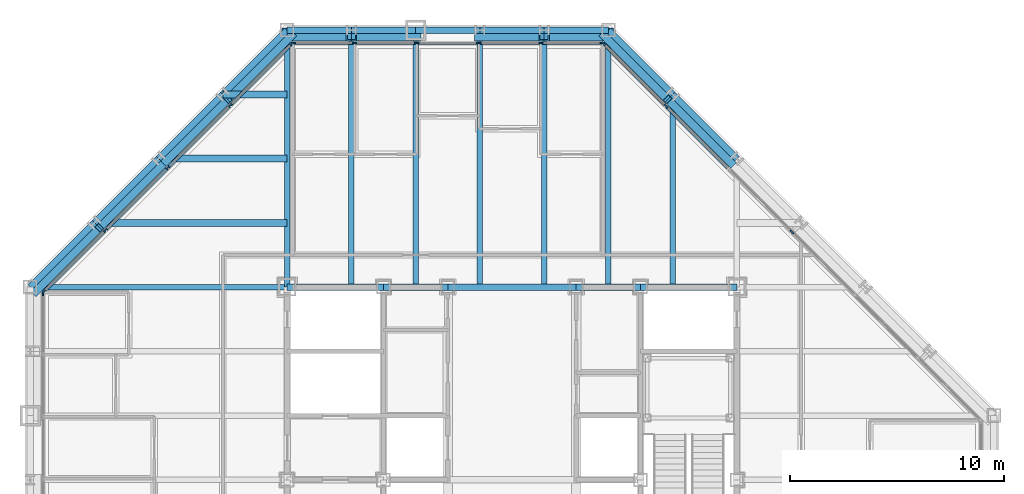
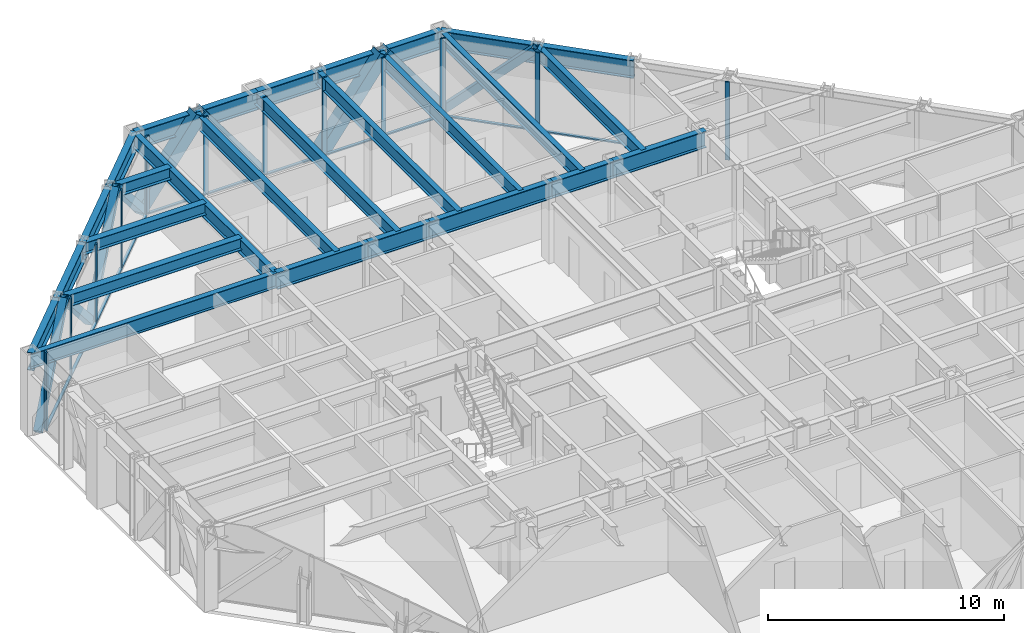
# One storey, part 7 of 15: 36 members, 27 beams, 4 elements without a shape of their own.
"""IFC4 building model written with IfcOpenShell, lengths in metres."""

from ifc_helpers import new_model, si_unit, direction, frame, origin, origin_2d, place, context, subcontext, project, spatial, rectangle, hollow_rectangle, i_section, extrude, material, layer, layer_set, material_profile, profile_set, type_object, element, aggregate, save


model = new_model("IFC4")

# Units and contexts
model_context = context("Model", 3, precision=1e-05, world=origin(), true_north=direction((0.0, 1.0)))
body_context = subcontext(model_context, "Body", "Model", "MODEL_VIEW")
ifc_project = project(units=[si_unit("LENGTHUNIT", "METRE"), si_unit("AREAUNIT", "SQUARE_METRE"), si_unit("VOLUMEUNIT", "CUBIC_METRE"), si_unit("PLANEANGLEUNIT", "RADIAN"), si_unit("MASSUNIT", "GRAM", prefix="KILO")], contexts=[model_context])

# Site, building, storey
site_placement = place(None, origin())
site = spatial("IfcSite", under=ifc_project, at=site_placement, CompositionType="ELEMENT")
building_placement = place(site_placement, origin())
building = spatial("IfcBuilding", under=site, at=building_placement, Name="Chuquiago Exchange Tower", CompositionType="ELEMENT")
storey_placement = place(building_placement, frame((0.0, 0.0, 197.10009765625)))
storey = spatial("IfcBuildingStorey", under=building, at=storey_placement, Name="L43", CompositionType="ELEMENT", Elevation=197.10009765625)

# Beams
ifc_material_1 = material(Name="Steel ASTM A992", Category="steel")
ifc_material_profile_1 = material_profile(ifc_material_1, i_section(OverallWidth=0.25390625, OverallDepth=0.683349609375, WebThickness=0.012451171875, FlangeThickness=0.018798828125, at=origin_2d()), Name="W27X94")
ifc_profile_set_1 = profile_set([ifc_material_profile_1], Name="Steel ASTM A992")
beam_type_1 = type_object("IfcBeamType", Name="B1 W27X94", PredefinedType="BEAM", material=ifc_profile_set_1)
for number, where, z_axis, x_axis, name in (
    (1, (15.0, 33.0, 3.6982421875), (0.0, 1.0, 0.0), (-1.0, 0.0, 0.0), "FB-L44-infill-15_33-15_45-0"),
    (2, (18.0, 33.0, 3.6982421875), (0.0, 1.0, 0.0), (-1.0, 0.0, 0.0), "FB-L44-infill-18_33-18_45-0"),
    (3, (21.0, 33.0, 3.6982421875), (0.0, 1.0, 0.0), (-1.0, 0.0, 0.0), "FB-L44-infill-21_33-21_45-0"),
    (4, (24.0, 33.0, 3.6982421875), (0.0, 1.0, 0.0), (-1.0, 0.0, 0.0), "FB-L44-infill-24_33-24_45-0"),
    (5, (27.0, 33.0, 3.6982421875), (0.0, 1.0, 0.0), (-1.0, 0.0, 0.0), "FB-L44-infill-27_33-27_45-0"),
):
    element("IfcBeam", number, at=place(storey_placement, frame(where, z_axis=z_axis, x_axis=x_axis)), inside=storey, type_object=beam_type_1, Name=name, PredefinedType="BEAM", context=body_context, shape_type="SweptSolid", body=[
        extrude(i_section(OverallWidth=0.25390625, OverallDepth=0.683349609375, WebThickness=0.012451171875, FlangeThickness=0.018798828125, at=origin_2d()), origin(), (0.0, 0.0, 1.0), 12.0),
    ])
beam_1_placement = place(storey_placement, frame((30.0, 33.0, 3.6982421875), z_axis=(0.0, 1.0, 0.0), x_axis=(-1.0, 0.0, 0.0)))
element("IfcBeam", 6, at=beam_1_placement, inside=storey, type_object=beam_type_1, Name="FB-L44-infill-30_33-30_42-0", PredefinedType="BEAM", context=body_context, shape_type="SweptSolid", body=[
    extrude(i_section(OverallWidth=0.25390625, OverallDepth=0.683349609375, WebThickness=0.012451171875, FlangeThickness=0.018798828125, at=origin_2d()), origin(), (0.0, 0.0, 1.0), 9.0),
])
ifc_material_2 = material(Name="Steel ASTM A992", Category="steel")
ifc_material_profile_2 = material_profile(ifc_material_2, i_section(OverallWidth=0.3251953125, OverallDepth=0.612060546875, WebThickness=0.0126953125, FlangeThickness=0.01904296875, at=origin_2d()), Name="W24X104")
ifc_profile_set_2 = profile_set([ifc_material_profile_2], Name="Steel ASTM A992")
beam_type_2 = type_object("IfcBeamType", Name="B2 W24X104", PredefinedType="BEAM", material=ifc_profile_set_2)
beam_2_placement = place(storey_placement, frame((12.0, 36.0, 3.73388671875), z_axis=(-1.0, 0.0, 0.0), x_axis=(0.0, -1.0, 0.0)))
element("IfcBeam", 7, at=beam_2_placement, inside=storey, type_object=beam_type_2, Name="FB-L44-corner-12_36-3_36-0", PredefinedType="BEAM", context=body_context, shape_type="SweptSolid", body=[
    extrude(i_section(OverallWidth=0.3251953125, OverallDepth=0.612060546875, WebThickness=0.0126953125, FlangeThickness=0.01904296875, at=origin_2d()), origin(), (0.0, 0.0, 1.0), 9.0),
])
beam_3_placement = place(storey_placement, frame((12.0, 39.0, 3.73388671875), z_axis=(-1.0, 0.0, 0.0), x_axis=(0.0, -1.0, 0.0)))
element("IfcBeam", 8, at=beam_3_placement, inside=storey, type_object=beam_type_2, Name="FB-L44-corner-12_39-6_39-0", PredefinedType="BEAM", context=body_context, shape_type="SweptSolid", body=[
    extrude(i_section(OverallWidth=0.3251953125, OverallDepth=0.612060546875, WebThickness=0.0126953125, FlangeThickness=0.01904296875, at=origin_2d()), origin(), (0.0, 0.0, 1.0), 6.0),
])
beam_4_placement = place(storey_placement, frame((12.0, 42.0, 3.73388671875), z_axis=(-1.0, 0.0, 0.0), x_axis=(0.0, -1.0, 0.0)))
element("IfcBeam", 9, at=beam_4_placement, inside=storey, type_object=beam_type_2, Name="FB-L44-corner-12_42-9_42-0", PredefinedType="BEAM", context=body_context, shape_type="SweptSolid", body=[
    extrude(i_section(OverallWidth=0.3251953125, OverallDepth=0.612060546875, WebThickness=0.0126953125, FlangeThickness=0.01904296875, at=origin_2d()), origin(), (0.0, 0.0, 1.0), 3.0),
])
ifc_material_3 = material(Name="Steel ASTM A992", Category="steel")
ifc_material_profile_3 = material_profile(ifc_material_3, i_section(OverallWidth=0.2919921875, OverallDepth=0.8583984375, WebThickness=0.01708984375, FlangeThickness=0.031005859375, at=origin_2d()), Name="W33X169")
ifc_profile_set_3 = profile_set([ifc_material_profile_3], Name="Steel ASTM A992")
beam_type_3 = type_object("IfcBeamType", Name="B3 W33X169", PredefinedType="BEAM", material=ifc_profile_set_3)
beam_5_placement = place(storey_placement, frame((12.0, 33.0, 3.610595703125), z_axis=(1.0, 0.0, 0.0), x_axis=(0.0, 1.0, 0.0)))
element("IfcBeam", 10, at=beam_5_placement, inside=storey, type_object=beam_type_3, Name="CB-L44-12_33-16.5_33", PredefinedType="BEAM", context=body_context, shape_type="SweptSolid", body=[
    extrude(i_section(OverallWidth=0.2919921875, OverallDepth=0.8583984375, WebThickness=0.01708984375, FlangeThickness=0.031005859375, at=origin_2d()), origin(), (0.0, 0.0, 1.0), 4.5),
])
beam_6_placement = place(storey_placement, frame((16.5, 33.0, 3.610595703125), z_axis=(1.0, 0.0, 0.0), x_axis=(0.0, 1.0, 0.0)))
element("IfcBeam", 11, at=beam_6_placement, inside=storey, type_object=beam_type_3, Name="CB-L44-16.5_33-19.5_33", PredefinedType="BEAM", context=body_context, shape_type="SweptSolid", body=[
    extrude(i_section(OverallWidth=0.2919921875, OverallDepth=0.8583984375, WebThickness=0.01708984375, FlangeThickness=0.031005859375, at=origin_2d()), origin(), (0.0, 0.0, 1.0), 3.0),
])
beam_7_placement = place(storey_placement, frame((19.5, 33.0, 3.610595703125), z_axis=(1.0, 0.0, 0.0), x_axis=(0.0, 1.0, 0.0)))
element("IfcBeam", 12, at=beam_7_placement, inside=storey, type_object=beam_type_3, Name="CB-L44-19.5_33-25.5_33", PredefinedType="BEAM", context=body_context, shape_type="SweptSolid", body=[
    extrude(i_section(OverallWidth=0.2919921875, OverallDepth=0.8583984375, WebThickness=0.01708984375, FlangeThickness=0.031005859375, at=origin_2d()), origin(), (0.0, 0.0, 1.0), 6.0),
])
beam_8_placement = place(storey_placement, frame((25.5, 33.0, 3.610595703125), z_axis=(1.0, 0.0, 0.0), x_axis=(0.0, 1.0, 0.0)))
element("IfcBeam", 13, at=beam_8_placement, inside=storey, type_object=beam_type_3, Name="CB-L44-25.5_33-28.5_33", PredefinedType="BEAM", context=body_context, shape_type="SweptSolid", body=[
    extrude(i_section(OverallWidth=0.2919921875, OverallDepth=0.8583984375, WebThickness=0.01708984375, FlangeThickness=0.031005859375, at=origin_2d()), origin(), (0.0, 0.0, 1.0), 3.0),
])
beam_9_placement = place(storey_placement, frame((28.5, 33.0, 3.610595703125), z_axis=(1.0, 0.0, 0.0), x_axis=(0.0, 1.0, 0.0)))
element("IfcBeam", 14, at=beam_9_placement, inside=storey, type_object=beam_type_3, Name="CB-L44-28.5_33-33_33", PredefinedType="BEAM", context=body_context, shape_type="SweptSolid", body=[
    extrude(i_section(OverallWidth=0.2919921875, OverallDepth=0.8583984375, WebThickness=0.01708984375, FlangeThickness=0.031005859375, at=origin_2d()), origin(), (0.0, 0.0, 1.0), 4.5),
])

# Curtain wall, members
ifc_material_4 = material(Name="Aluminium curtain wall system", Category="aluminium")
ifc_layer_1 = layer(ifc_material_4, 0.22509765625)
ifc_layer_set_1 = layer_set([ifc_layer_1], Name="CW2 office curtain wall")
curtain_wall_type_1 = type_object("IfcCurtainWallType", Name="CW2 office curtain wall", PredefinedType="NOTDEFINED", material=ifc_layer_set_1)
curtain_wall_1_placement = place(storey_placement, origin())
curtain_wall_1 = element("IfcCurtainWall", 15, at=curtain_wall_1_placement, inside=storey, type_object=curtain_wall_type_1, Name="CW2 curtain wall L43", PredefinedType="NOTDEFINED")
ifc_material_5 = material(Name="Aluminium mullion, pale anodised", Category="aluminium")
ifc_material_profile_4 = material_profile(ifc_material_5, rectangle(XDim=0.06494140625, YDim=0.22509765625, at=origin_2d()), Name="AL 65x225")
ifc_profile_set_4 = profile_set([ifc_material_profile_4], Name="Aluminium mullion, pale anodised")
member_type_1 = type_object("IfcMemberType", Name="CW2-M mullion 65x225", PredefinedType="MULLION", material=ifc_profile_set_4)
member_1_placement = place(storey_placement, frame((26.718994140625, 44.39990234375, 0.0), z_axis=(0.0, 0.0, 1.0), x_axis=(0.0, -1.0, 0.0)))
member_1 = element("IfcMember", 16, at=member_1_placement, type_object=member_type_1, Name="CW2 mullion 1", PredefinedType="MULLION", context=body_context, shape_type="SweptSolid", body=[
    extrude(rectangle(XDim=0.06494140625, YDim=0.22509765625, at=origin_2d()), origin(), (0.0, 0.0, 1.0), 4.039794921875),
])
member_2_placement = place(storey_placement, frame((23.850830078125, 44.39990234375, 0.0), z_axis=(0.0, 0.0, 1.0), x_axis=(0.0, -1.0, 0.0)))
member_2 = element("IfcMember", 17, at=member_2_placement, type_object=member_type_1, Name="CW2 mullion 2", PredefinedType="MULLION", context=body_context, shape_type="SweptSolid", body=[
    extrude(rectangle(XDim=0.06494140625, YDim=0.22509765625, at=origin_2d()), origin(), (0.0, 0.0, 1.0), 4.039794921875),
])
member_3_placement = place(storey_placement, frame((20.9501953125, 44.39990234375, 0.0), z_axis=(0.0, 0.0, 1.0), x_axis=(0.0, -1.0, 0.0)))
member_3 = element("IfcMember", 18, at=member_3_placement, type_object=member_type_1, Name="CW2 mullion 3", PredefinedType="MULLION", context=body_context, shape_type="SweptSolid", body=[
    extrude(rectangle(XDim=0.06494140625, YDim=0.22509765625, at=origin_2d()), origin(), (0.0, 0.0, 1.0), 4.039794921875),
])
member_4_placement = place(storey_placement, frame((18.0498046875, 44.39990234375, 0.0), z_axis=(0.0, 0.0, 1.0), x_axis=(0.0, -1.0, 0.0)))
member_4 = element("IfcMember", 19, at=member_4_placement, type_object=member_type_1, Name="CW2 mullion 4", PredefinedType="MULLION", context=body_context, shape_type="SweptSolid", body=[
    extrude(rectangle(XDim=0.06494140625, YDim=0.22509765625, at=origin_2d()), origin(), (0.0, 0.0, 1.0), 4.039794921875),
])
member_5_placement = place(storey_placement, frame((15.149169921875, 44.39990234375, 0.0), z_axis=(0.0, 0.0, 1.0), x_axis=(0.0, -1.0, 0.0)))
member_5 = element("IfcMember", 20, at=member_5_placement, type_object=member_type_1, Name="CW2 mullion 5", PredefinedType="MULLION", context=body_context, shape_type="SweptSolid", body=[
    extrude(rectangle(XDim=0.06494140625, YDim=0.22509765625, at=origin_2d()), origin(), (0.0, 0.0, 1.0), 4.039794921875),
])
member_6_placement = place(storey_placement, frame((12.281005859375, 44.39990234375, 0.0), z_axis=(0.0, 0.0, 1.0), x_axis=(0.0, -1.0, 0.0)))
member_6 = element("IfcMember", 21, at=member_6_placement, type_object=member_type_1, Name="CW2 mullion 6", PredefinedType="MULLION", context=body_context, shape_type="SweptSolid", body=[
    extrude(rectangle(XDim=0.06494140625, YDim=0.22509765625, at=origin_2d()), origin(), (0.0, 0.0, 1.0), 4.039794921875),
])

# Curtain wall, member
curtain_wall_2_placement = place(storey_placement, origin())
curtain_wall_2 = element("IfcCurtainWall", 22, at=curtain_wall_2_placement, inside=storey, type_object=curtain_wall_type_1, Name="CW2 curtain wall L43", PredefinedType="NOTDEFINED")
member_7_placement = place(storey_placement, frame((0.60009765625, 32.718994140625, 0.0), z_axis=(0.0, 0.0, 1.0), x_axis=(1.0, 0.0, 0.0)))
member_7 = element("IfcMember", 23, at=member_7_placement, type_object=member_type_1, Name="CW2 mullion 1", PredefinedType="MULLION", context=body_context, shape_type="SweptSolid", body=[
    extrude(rectangle(XDim=0.06494140625, YDim=0.22509765625, at=origin_2d()), origin(), (0.0, 0.0, 1.0), 4.039794921875),
])
aggregate(curtain_wall_2, [member_7])

# Member
ifc_material_6 = material(Name="Aluminium transom, pale anodised", Category="aluminium")
ifc_material_profile_5 = material_profile(ifc_material_6, rectangle(XDim=0.139892578125, YDim=0.06494140625, at=origin_2d()), Name="AL 140x65")
ifc_profile_set_5 = profile_set([ifc_material_profile_5], Name="Aluminium transom, pale anodised")
member_type_2 = type_object("IfcMemberType", Name="CW2-T transom 65x140", PredefinedType="MULLION", material=ifc_profile_set_5)
member_8_placement = place(storey_placement, frame((26.6865234375, 44.39990234375, 0.032470703125), z_axis=(-1.0, 0.0, 0.0), x_axis=(0.0, -1.0, 0.0)))
member_8 = element("IfcMember", 24, at=member_8_placement, type_object=member_type_2, Name="CW2 transom 1.1", PredefinedType="MULLION", context=body_context, shape_type="SweptSolid", body=[
    extrude(rectangle(XDim=0.139892578125, YDim=0.06494140625, at=origin_2d()), origin(), (0.0, 0.0, 1.0), 2.80322265625),
])

member_9_placement = place(storey_placement, frame((23.818359375, 44.39990234375, 0.032470703125), z_axis=(-1.0, 0.0, 0.0), x_axis=(0.0, -1.0, 0.0)))
member_9 = element("IfcMember", 25, at=member_9_placement, type_object=member_type_2, Name="CW2 transom 2.1", PredefinedType="MULLION", context=body_context, shape_type="SweptSolid", body=[
    extrude(rectangle(XDim=0.139892578125, YDim=0.06494140625, at=origin_2d()), origin(), (0.0, 0.0, 1.0), 2.83544921875),
])

member_10_placement = place(storey_placement, frame((20.917724609375, 44.39990234375, 0.032470703125), z_axis=(-1.0, 0.0, 0.0), x_axis=(0.0, -1.0, 0.0)))
member_10 = element("IfcMember", 26, at=member_10_placement, type_object=member_type_2, Name="CW2 transom 3.1", PredefinedType="MULLION", context=body_context, shape_type="SweptSolid", body=[
    extrude(rectangle(XDim=0.139892578125, YDim=0.06494140625, at=origin_2d()), origin(), (0.0, 0.0, 1.0), 2.83544921875),
])

member_11_placement = place(storey_placement, frame((18.01708984375, 44.39990234375, 0.032470703125), z_axis=(-1.0, 0.0, 0.0), x_axis=(0.0, -1.0, 0.0)))
member_11 = element("IfcMember", 27, at=member_11_placement, type_object=member_type_2, Name="CW2 transom 4.1", PredefinedType="MULLION", context=body_context, shape_type="SweptSolid", body=[
    extrude(rectangle(XDim=0.139892578125, YDim=0.06494140625, at=origin_2d()), origin(), (0.0, 0.0, 1.0), 2.83544921875),
])

member_12_placement = place(storey_placement, frame((15.11669921875, 44.39990234375, 0.032470703125), z_axis=(-1.0, 0.0, 0.0), x_axis=(0.0, -1.0, 0.0)))
member_12 = element("IfcMember", 28, at=member_12_placement, type_object=member_type_2, Name="CW2 transom 5.1", PredefinedType="MULLION", context=body_context, shape_type="SweptSolid", body=[
    extrude(rectangle(XDim=0.139892578125, YDim=0.06494140625, at=origin_2d()), origin(), (0.0, 0.0, 1.0), 2.80322265625),
])

aggregate(curtain_wall_1, [member_1, member_2, member_3, member_4, member_5, member_6, member_8, member_9, member_10, member_11, member_12])

# Curtain wall, members
ifc_material_7 = material(Name="Aluminium curtain wall system", Category="aluminium")
ifc_layer_2 = layer(ifc_material_7, 0.199951171875)
ifc_layer_set_2 = layer_set([ifc_layer_2], Name="CW3 facet curtain wall")
curtain_wall_type_2 = type_object("IfcCurtainWallType", Name="CW3 facet curtain wall", PredefinedType="NOTDEFINED", material=ifc_layer_set_2)
curtain_wall_3_placement = place(storey_placement, origin())
curtain_wall_3 = element("IfcCurtainWall", 29, at=curtain_wall_3_placement, inside=storey, type_object=curtain_wall_type_2, Name="CW3 curtain wall L43", PredefinedType="NOTDEFINED")
ifc_material_8 = material(Name="Aluminium mullion, pale anodised", Category="aluminium")
ifc_material_profile_6 = material_profile(ifc_material_8, rectangle(XDim=0.06494140625, YDim=0.199951171875, at=origin_2d()), Name="AL 65x200")
ifc_profile_set_6 = profile_set([ifc_material_profile_6], Name="Aluminium mullion, pale anodised")
member_type_3 = type_object("IfcMemberType", Name="CW3-M mullion 65x200", PredefinedType="MULLION", material=ifc_profile_set_6)
member_13_placement = place(storey_placement, frame((35.57568359375, 35.57568359375, 0.0), z_axis=(0.0, 0.0, 1.0), x_axis=(-0.707106781187, -0.707106781187, 0.0)))
member_13 = element("IfcMember", 30, at=member_13_placement, type_object=member_type_3, Name="CW3 mullion 4", PredefinedType="MULLION", context=body_context, shape_type="SweptSolid", body=[
    extrude(rectangle(XDim=0.06494140625, YDim=0.199951171875, at=origin_2d()), origin(), (0.0, 0.0, 1.0), 4.039794921875),
])
member_14_placement = place(storey_placement, frame((29.69287109375, 41.45849609375, 0.0), z_axis=(0.0, 0.0, 1.0), x_axis=(-0.707106781187, -0.707106781187, 0.0)))
member_14 = element("IfcMember", 31, at=member_14_placement, type_object=member_type_3, Name="CW3 mullion 6", PredefinedType="MULLION", context=body_context, shape_type="SweptSolid", body=[
    extrude(rectangle(XDim=0.06494140625, YDim=0.199951171875, at=origin_2d()), origin(), (0.0, 0.0, 1.0), 4.039794921875),
])
member_15_placement = place(storey_placement, frame((26.7744140625, 44.376953125, 0.0), z_axis=(0.0, 0.0, 1.0), x_axis=(-0.707106781187, -0.707106781187, 0.0)))
member_15 = element("IfcMember", 32, at=member_15_placement, type_object=member_type_3, Name="CW3 mullion 7", PredefinedType="MULLION", context=body_context, shape_type="SweptSolid", body=[
    extrude(rectangle(XDim=0.06494140625, YDim=0.199951171875, at=origin_2d()), origin(), (0.0, 0.0, 1.0), 4.039794921875),
])

curtain_wall_4_placement = place(storey_placement, origin())
curtain_wall_4 = element("IfcCurtainWall", 33, at=curtain_wall_4_placement, inside=storey, type_object=curtain_wall_type_2, Name="CW3 curtain wall L43", PredefinedType="NOTDEFINED")
member_16_placement = place(storey_placement, frame((12.2255859375, 44.376953125, 0.0), z_axis=(0.0, 0.0, 1.0), x_axis=(0.707106781187, -0.707106781187, 0.0)))
member_16 = element("IfcMember", 34, at=member_16_placement, type_object=member_type_3, Name="CW3 mullion 1", PredefinedType="MULLION", context=body_context, shape_type="SweptSolid", body=[
    extrude(rectangle(XDim=0.06494140625, YDim=0.199951171875, at=origin_2d()), origin(), (0.0, 0.0, 1.0), 4.039794921875),
])
member_17_placement = place(storey_placement, frame((9.33642578125, 41.48779296875, 0.0), z_axis=(0.0, 0.0, 1.0), x_axis=(0.707106781187, -0.707106781187, 0.0)))
member_17 = element("IfcMember", 35, at=member_17_placement, type_object=member_type_3, Name="CW3 mullion 2", PredefinedType="MULLION", context=body_context, shape_type="SweptSolid", body=[
    extrude(rectangle(XDim=0.06494140625, YDim=0.199951171875, at=origin_2d()), origin(), (0.0, 0.0, 1.0), 4.039794921875),
])
member_18_placement = place(storey_placement, frame((6.42431640625, 38.57568359375, 0.0), z_axis=(0.0, 0.0, 1.0), x_axis=(0.707106781187, -0.707106781187, 0.0)))
member_18 = element("IfcMember", 36, at=member_18_placement, type_object=member_type_3, Name="CW3 mullion 3", PredefinedType="MULLION", context=body_context, shape_type="SweptSolid", body=[
    extrude(rectangle(XDim=0.06494140625, YDim=0.199951171875, at=origin_2d()), origin(), (0.0, 0.0, 1.0), 4.039794921875),
])
member_19_placement = place(storey_placement, frame((3.51220703125, 35.66357421875, 0.0), z_axis=(0.0, 0.0, 1.0), x_axis=(0.707106781187, -0.707106781187, 0.0)))
member_19 = element("IfcMember", 37, at=member_19_placement, type_object=member_type_3, Name="CW3 mullion 4", PredefinedType="MULLION", context=body_context, shape_type="SweptSolid", body=[
    extrude(rectangle(XDim=0.06494140625, YDim=0.199951171875, at=origin_2d()), origin(), (0.0, 0.0, 1.0), 4.039794921875),
])
member_20_placement = place(storey_placement, frame((0.623046875, 32.7744140625, 0.0), z_axis=(0.0, 0.0, 1.0), x_axis=(0.707106781187, -0.707106781187, 0.0)))
member_20 = element("IfcMember", 38, at=member_20_placement, type_object=member_type_3, Name="CW3 mullion 5", PredefinedType="MULLION", context=body_context, shape_type="SweptSolid", body=[
    extrude(rectangle(XDim=0.06494140625, YDim=0.199951171875, at=origin_2d()), origin(), (0.0, 0.0, 1.0), 4.039794921875),
])

# Member
ifc_material_9 = material(Name="Aluminium transom, pale anodised", Category="aluminium")
ifc_material_profile_7 = material_profile(ifc_material_9, rectangle(XDim=0.139892578125, YDim=0.06494140625, at=origin_2d()), Name="AL 140x65")
ifc_profile_set_7 = profile_set([ifc_material_profile_7], Name="Aluminium transom, pale anodised")
member_type_4 = type_object("IfcMemberType", Name="CW3-T transom 65x140", PredefinedType="MULLION", material=ifc_profile_set_7)
member_21_placement = place(storey_placement, frame((32.611328125, 38.5400390625, 0.032470703125), z_axis=(-0.707106781187, 0.707106781187, 0.0), x_axis=(-0.707106781187, -0.707106781187, 0.0)))
member_21 = element("IfcMember", 39, at=member_21_placement, type_object=member_type_4, Name="CW3 transom 5.1", PredefinedType="MULLION", context=body_context, shape_type="SweptSolid", body=[
    extrude(rectangle(XDim=0.139892578125, YDim=0.06494140625, at=origin_2d()), origin(), (0.0, 0.0, 1.0), 4.094970703125),
])

member_22_placement = place(storey_placement, frame((29.669921875, 41.4814453125, 0.032470703125), z_axis=(-0.707106781187, 0.707106781187, 0.0), x_axis=(-0.707106781187, -0.707106781187, 0.0)))
member_22 = element("IfcMember", 40, at=member_22_placement, type_object=member_type_4, Name="CW3 transom 6.1", PredefinedType="MULLION", context=body_context, shape_type="SweptSolid", body=[
    extrude(rectangle(XDim=0.139892578125, YDim=0.06494140625, at=origin_2d()), origin(), (0.0, 0.0, 1.0), 4.0625),
])

aggregate(curtain_wall_3, [member_13, member_14, member_15, member_21, member_22])

member_23_placement = place(storey_placement, frame((12.20263671875, 44.35400390625, 0.032470703125), z_axis=(-0.707106781187, -0.707106781187, 0.0), x_axis=(0.707106781187, -0.707106781187, 0.0)))
member_23 = element("IfcMember", 41, at=member_23_placement, type_object=member_type_4, Name="CW3 transom 1.1", PredefinedType="MULLION", context=body_context, shape_type="SweptSolid", body=[
    extrude(rectangle(XDim=0.139892578125, YDim=0.06494140625, at=origin_2d()), origin(), (0.0, 0.0, 1.0), 4.02099609375),
])

member_24_placement = place(storey_placement, frame((9.3134765625, 41.46484375, 0.032470703125), z_axis=(-0.707106781187, -0.707106781187, 0.0), x_axis=(0.707106781187, -0.707106781187, 0.0)))
member_24 = element("IfcMember", 42, at=member_24_placement, type_object=member_type_4, Name="CW3 transom 2.1", PredefinedType="MULLION", context=body_context, shape_type="SweptSolid", body=[
    extrude(rectangle(XDim=0.139892578125, YDim=0.06494140625, at=origin_2d()), origin(), (0.0, 0.0, 1.0), 4.053466796875),
])

member_25_placement = place(storey_placement, frame((6.4013671875, 38.552734375, 0.032470703125), z_axis=(-0.707106781187, -0.707106781187, 0.0), x_axis=(0.707106781187, -0.707106781187, 0.0)))
member_25 = element("IfcMember", 43, at=member_25_placement, type_object=member_type_4, Name="CW3 transom 3.1", PredefinedType="MULLION", context=body_context, shape_type="SweptSolid", body=[
    extrude(rectangle(XDim=0.139892578125, YDim=0.06494140625, at=origin_2d()), origin(), (0.0, 0.0, 1.0), 4.053466796875),
])

member_26_placement = place(storey_placement, frame((3.4892578125, 35.640625, 0.032470703125), z_axis=(-0.707106781187, -0.707106781187, 0.0), x_axis=(0.707106781187, -0.707106781187, 0.0)))
member_26 = element("IfcMember", 44, at=member_26_placement, type_object=member_type_4, Name="CW3 transom 4.1", PredefinedType="MULLION", context=body_context, shape_type="SweptSolid", body=[
    extrude(rectangle(XDim=0.139892578125, YDim=0.06494140625, at=origin_2d()), origin(), (0.0, 0.0, 1.0), 4.02099609375),
])

aggregate(curtain_wall_4, [member_16, member_17, member_18, member_19, member_20, member_23, member_24, member_25, member_26])

# Beams
ifc_material_10 = material(Name="Steel ASTM A992", Category="steel")
ifc_material_profile_8 = material_profile(ifc_material_10, i_section(OverallWidth=0.2666015625, OverallDepth=0.76953125, WebThickness=0.015625, FlangeThickness=0.025390625, at=origin_2d()), Name="W30X132")
ifc_profile_set_8 = profile_set([ifc_material_profile_8], Name="Steel ASTM A992")
beam_type_4 = type_object("IfcBeamType", Name="G1 W30X132", PredefinedType="BEAM", material=ifc_profile_set_8)
for number, where, z_axis, x_axis, name in (
    (45, (12.0, 33.0, 3.655029296875), (0.0, 1.0, 0.0), (-1.0, 0.0, 0.0), "FB-L44-girder-12_33-12_45-0"),
    (46, (12.0, 33.0, 3.655029296875), (-1.0, 0.0, 0.0), (0.0, -1.0, 0.0), "FB-L44-girder-12_33--0_33-0"),
):
    element("IfcBeam", number, at=place(storey_placement, frame(where, z_axis=z_axis, x_axis=x_axis)), inside=storey, type_object=beam_type_4, Name=name, PredefinedType="BEAM", context=body_context, shape_type="SweptSolid", body=[
        extrude(i_section(OverallWidth=0.2666015625, OverallDepth=0.76953125, WebThickness=0.015625, FlangeThickness=0.025390625, at=origin_2d()), origin(), (0.0, 0.0, 1.0), 12.0),
    ])

# Members
ifc_material_11 = material(Name="Steel ASTM A500 Grade C", Category="steel")
ifc_material_profile_9 = material_profile(ifc_material_11, hollow_rectangle(XDim=0.355712890625, YDim=0.355712890625, WallThickness=0.0146484375, at=origin_2d()), Name="HSS14X14X5/8")
ifc_profile_set_9 = profile_set([ifc_material_profile_9], Name="Steel ASTM A500 Grade C")
member_type_5 = type_object("IfcMemberType", Name="LB2 HSS14X14X5/8", PredefinedType="BRACE", material=ifc_profile_set_9)
for number, where, z_axis, x_axis, name in (
    (47, (32.7685546875, 38.7685546875, 0.0), (-0.51209198167, 0.51209198167, 0.689582195694), (-0.707106781187, -0.707106781187, 0.0), "LB-L43-33_39-30_42"),
    (48, (26.7685546875, 44.7685546875, 0.0), (0.51209198167, -0.51209198167, 0.689582195694), (0.707106781187, 0.707106781187, 0.0), "LB-L43-30_42-27_45"),
    (49, (12.2314453125, 44.7685546875, 0.0), (-0.51209198167, -0.51209198167, 0.689582195694), (0.707106781187, -0.707106781187, 0.0), "LB-L43-12_45-9_42"),
    (50, (6.2314453125, 38.7685546875, 0.0), (0.51209198167, 0.51209198167, 0.689582195694), (-0.707106781187, 0.707106781187, 0.0), "LB-L43-9_42-6_39"),
    (51, (6.2314453125, 38.7685546875, 0.0), (-0.51209198167, -0.51209198167, 0.689582195694), (0.707106781187, -0.707106781187, 0.0), "LB-L43-6_39-3_36"),
    (52, (0.2314453125, 32.7685546875, 0.0), (0.51209198167, 0.51209198167, 0.689582195694), (-0.707106781187, 0.707106781187, 0.0), "LB-L43-3_36-0_33"),
):
    element("IfcMember", number, at=place(storey_placement, frame(where, z_axis=z_axis, x_axis=x_axis)), inside=storey, type_object=member_type_5, Name=name, PredefinedType="BRACE", context=body_context, shape_type="SweptSolid", body=[
        extrude(hollow_rectangle(XDim=0.355712890625, YDim=0.355712890625, WallThickness=0.0146484375, at=origin_2d()), origin(), (0.0, 0.0, 1.0), 5.8583984375),
    ])
ifc_material_12 = material(Name="Steel ASTM A572 Grade 50", Category="steel")
ifc_material_profile_10 = material_profile(ifc_material_12, hollow_rectangle(XDim=0.60009765625, YDim=0.60009765625, WallThickness=0.06005859375, at=origin_2d()), Name="BOX600X600X60")
ifc_profile_set_10 = profile_set([ifc_material_profile_10], Name="Steel ASTM A572 Grade 50")
member_type_6 = type_object("IfcMemberType", Name="MB3 BOX600X600X60", PredefinedType="BRACE", material=ifc_profile_set_10)
for number, where, z_axis, x_axis, name in (
    (53, (27.0, 44.794921875, 0.0), (-0.596197146086, 0.0, 0.802838067732), (0.0, -1.0, 0.0), "Mega diagonal L43 N face"),
    (54, (21.0, 44.794921875, 0.0), (0.596197146086, 0.0, 0.802838067732), (0.0, 1.0, 0.0), "Mega diagonal L43 N face"),
    (55, (18.0, 44.794921875, 0.0), (-0.596197146086, 0.0, 0.802838067732), (0.0, -1.0, 0.0), "Mega diagonal L43 N face"),
    (56, (12.0, 44.794921875, 0.0), (0.596197146086, 0.0, 0.802838067732), (0.0, 1.0, 0.0), "Mega diagonal L43 N face"),
):
    element("IfcMember", number, at=place(storey_placement, frame(where, z_axis=z_axis, x_axis=x_axis)), inside=storey, type_object=member_type_6, Name=name, PredefinedType="BRACE", context=body_context, shape_type="SweptSolid", body=[
        extrude(hollow_rectangle(XDim=0.60009765625, YDim=0.60009765625, WallThickness=0.06005859375, at=origin_2d()), origin(), (0.0, 0.0, 1.0), 5.031982421875),
    ])

# Beams
ifc_material_13 = material(Name="Steel ASTM A992", Category="steel")
ifc_material_profile_11 = material_profile(ifc_material_13, i_section(OverallWidth=0.307373046875, OverallDepth=0.927001953125, WebThickness=0.01953125, FlangeThickness=0.031982421875, at=origin_2d()), Name="W36X194")
ifc_profile_set_11 = profile_set([ifc_material_profile_11], Name="Steel ASTM A992")
beam_type_5 = type_object("IfcBeamType", Name="SP3 W36X194", PredefinedType="SPANDREL", material=ifc_profile_set_11)
for number, where, z_axis, x_axis, name in (
    (57, (33.0, 39.0, 3.576416015625), (-0.707106781187, 0.707106781187, 0.0), (-0.707106781187, -0.707106781187, 0.0), "SPB-L44-33_39-30_42"),
    (58, (30.0, 42.0, 3.576416015625), (-0.707106781187, 0.707106781187, 0.0), (-0.707106781187, -0.707106781187, 0.0), "SPB-L44-30_42-27_45"),
):
    element("IfcBeam", number, at=place(storey_placement, frame(where, z_axis=z_axis, x_axis=x_axis)), inside=storey, type_object=beam_type_5, Name=name, PredefinedType="SPANDREL", context=body_context, shape_type="SweptSolid", body=[
        extrude(i_section(OverallWidth=0.307373046875, OverallDepth=0.927001953125, WebThickness=0.01953125, FlangeThickness=0.031982421875, at=origin_2d()), origin(), (0.0, 0.0, 1.0), 4.24267578125),
    ])
for number, where, z_axis, x_axis, name in (
    (59, (27.0, 45.0, 3.576416015625), (-1.0, 0.0, 0.0), (0.0, -1.0, 0.0), "SPB-L44-27_45-24_45"),
    (60, (24.0, 45.0, 3.576416015625), (-1.0, 0.0, 0.0), (0.0, -1.0, 0.0), "SPB-L44-24_45-21_45"),
    (61, (21.0, 45.0, 3.576416015625), (-1.0, 0.0, 0.0), (0.0, -1.0, 0.0), "SPB-L44-21_45-18_45"),
    (62, (18.0, 45.0, 3.576416015625), (-1.0, 0.0, 0.0), (0.0, -1.0, 0.0), "SPB-L44-18_45-15_45"),
    (63, (15.0, 45.0, 3.576416015625), (-1.0, 0.0, 0.0), (0.0, -1.0, 0.0), "SPB-L44-15_45-12_45"),
):
    element("IfcBeam", number, at=place(storey_placement, frame(where, z_axis=z_axis, x_axis=x_axis)), inside=storey, type_object=beam_type_5, Name=name, PredefinedType="SPANDREL", context=body_context, shape_type="SweptSolid", body=[
        extrude(i_section(OverallWidth=0.307373046875, OverallDepth=0.927001953125, WebThickness=0.01953125, FlangeThickness=0.031982421875, at=origin_2d()), origin(), (0.0, 0.0, 1.0), 3.0),
    ])
for number, where, z_axis, x_axis, name in (
    (64, (12.0, 45.0, 3.576416015625), (-0.707106781187, -0.707106781187, 0.0), (0.707106781187, -0.707106781187, 0.0), "SPB-L44-12_45-9_42"),
    (65, (9.0, 42.0, 3.576416015625), (-0.707106781187, -0.707106781187, 0.0), (0.707106781187, -0.707106781187, 0.0), "SPB-L44-9_42-6_39"),
    (66, (6.0, 39.0, 3.576416015625), (-0.707106781187, -0.707106781187, 0.0), (0.707106781187, -0.707106781187, 0.0), "SPB-L44-6_39-3_36"),
    (67, (3.0, 36.0, 3.576416015625), (-0.707106781187, -0.707106781187, 0.0), (0.707106781187, -0.707106781187, 0.0), "SPB-L44-3_36-0_33"),
):
    element("IfcBeam", number, at=place(storey_placement, frame(where, z_axis=z_axis, x_axis=x_axis)), inside=storey, type_object=beam_type_5, Name=name, PredefinedType="SPANDREL", context=body_context, shape_type="SweptSolid", body=[
        extrude(i_section(OverallWidth=0.307373046875, OverallDepth=0.927001953125, WebThickness=0.01953125, FlangeThickness=0.031982421875, at=origin_2d()), origin(), (0.0, 0.0, 1.0), 4.24267578125),
    ])

save(model, "model.ifc")
